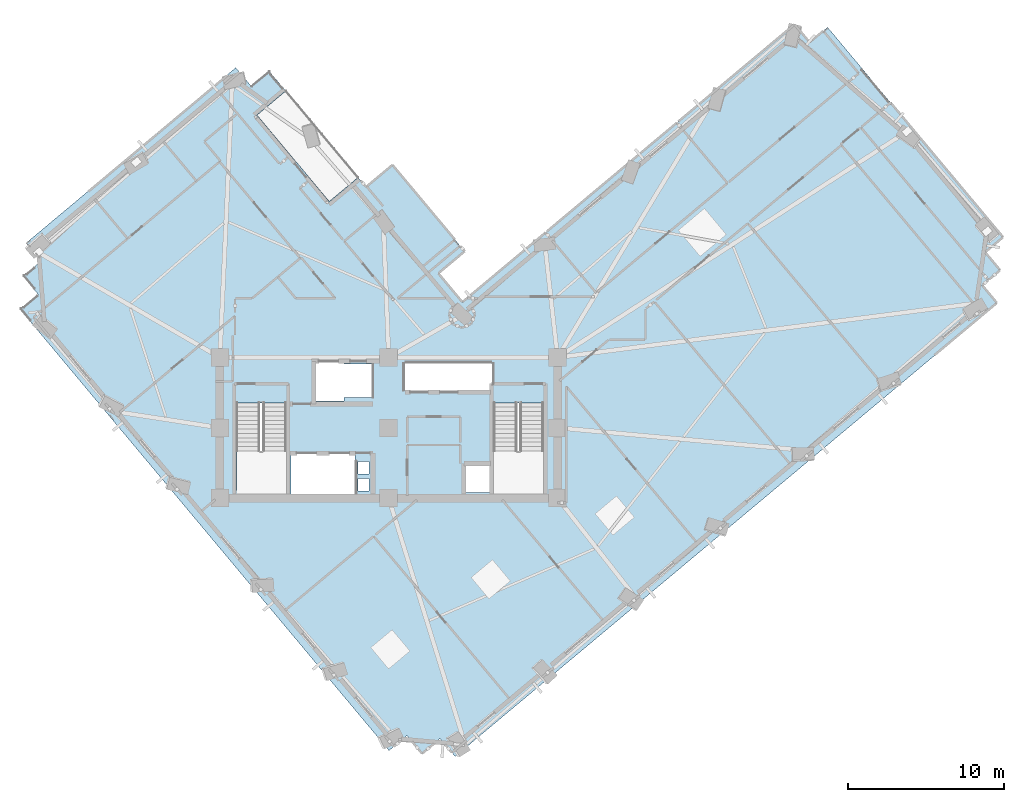
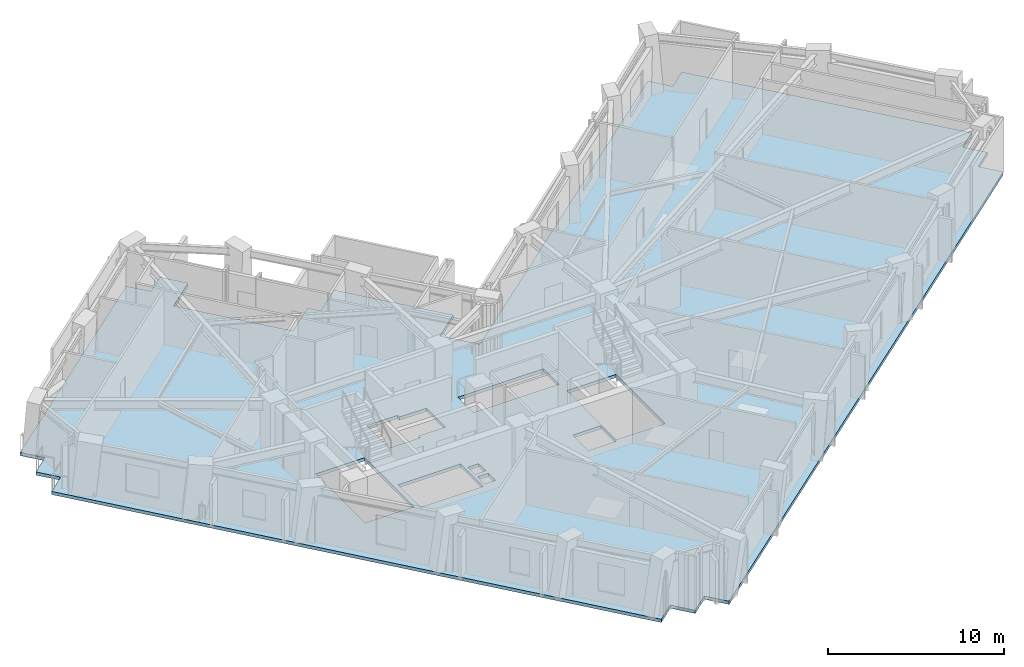
# One storey, part 3 of 14: 1 slab.
"""IFC4 building model written with IfcOpenShell, lengths in metres."""

from ifc_helpers import new_model, si_unit, direction, frame, origin, place, context, subcontext, project, spatial, polyline, outline, extrude, material, layer, layer_set, type_object, element, save


model = new_model("IFC4")

# Units and contexts
model_context = context("Model", 3, precision=1e-05, world=origin(), true_north=direction((0.0, 1.0)))
body_context = subcontext(model_context, "Body", "Model", "MODEL_VIEW")
ifc_project = project(units=[si_unit("LENGTHUNIT", "METRE"), si_unit("AREAUNIT", "SQUARE_METRE"), si_unit("VOLUMEUNIT", "CUBIC_METRE"), si_unit("PLANEANGLEUNIT", "RADIAN"), si_unit("MASSUNIT", "GRAM", prefix="KILO")], contexts=[model_context])

# Site, building, storey
site_placement = place(None, origin())
site = spatial("IfcSite", under=ifc_project, at=site_placement, CompositionType="ELEMENT")
building_placement = place(site_placement, origin())
building = spatial("IfcBuilding", under=site, at=building_placement, Name="Gaonmaruhae Medical Tower", CompositionType="ELEMENT")
storey_placement = place(building_placement, frame((0.0, 0.0, 193.800048828125)))
storey = spatial("IfcBuildingStorey", under=building, at=storey_placement, Name="L46", CompositionType="ELEMENT", Elevation=193.800048828125)

# Slab
ifc_material = material(Name="Concrete C40/50", Category="concrete")
ifc_layer = layer(ifc_material, 0.219970703125)
ifc_layer_set = layer_set([ifc_layer], Name="Concrete C40/50")
slab_type = type_object("IfcSlabType", Name="FS-220 Clinical Ward Composite Floor Slab", PredefinedType="FLOOR", material=ifc_layer_set)
slab_placement = place(storey_placement, frame((0.0, 0.0, -0.219970703125)))
element("IfcSlab", 1, at=slab_placement, inside=storey, type_object=slab_type, Name="L46 Structural Slab 1", PredefinedType="FLOOR", context=body_context, shape_type="SweptSolid", body=[
    extrude(outline(polyline([(50.760498046875, 38.105712890625), (51.722900390625, 36.955078125), (52.87353515625, 37.917236328125), (64.098876953125, 24.49169921875), (62.9482421875, 23.529541015625), (63.910400390625, 22.37890625), (62.759521484375, 21.416748046875), (63.7216796875, 20.265869140625), (29.0458984375, -8.7275390625), (28.083740234375, -7.576904296875), (26.93310546875, -8.5390625), (25.970703125, -7.38818359375), (24.820068359375, -8.3505859375), (1.214599609375, 19.881103515625), (2.365478515625, 20.843505859375), (1.4033203125, 21.994140625), (2.55419921875, 22.956298828125), (1.591796875, 24.107177734375), (15.017333984375, 35.33251953125), (15.9794921875, 34.181640625), (17.130126953125, 35.143798828125), (18.220703125, 33.839599609375), (16.37939453125, 32.30029296875), (20.997802734375, 26.776611328125), (22.839111328125, 28.316162109375), (23.352294921875, 27.702392578125), (25.0400390625, 29.113525390625), (29.658447265625, 23.590087890625), (27.970703125, 22.1787109375), (29.51025390625, 20.337646484375), (50.760498046875, 38.105712890625)]), holes=[polyline([(23.550048828125, 8.25), (22.85009765625, 8.25), (22.85009765625, 9.050048828125), (23.550048828125, 9.050048828125), (23.550048828125, 8.25)]), polyline([(31.425048828125, 9.925048828125), (31.425048828125, 8.175048828125), (29.574951171875, 8.175048828125), (29.574951171875, 9.925048828125), (31.425048828125, 9.925048828125)]), polyline([(22.64990234375, 10.625), (22.64990234375, 8.074951171875), (18.550048828125, 8.074951171875), (18.550048828125, 10.625), (22.64990234375, 10.625)]), polyline([(23.550048828125, 9.35009765625), (22.85009765625, 9.35009765625), (22.85009765625, 10.14990234375), (23.550048828125, 10.14990234375), (23.550048828125, 9.35009765625)]), polyline([(15.050048828125, 13.889892578125), (18.25, 13.889892578125), (18.25, 8.300048828125), (15.050048828125, 8.300048828125), (15.050048828125, 13.889892578125)]), polyline([(31.5, 13.889892578125), (34.699951171875, 13.889892578125), (34.699951171875, 8.300048828125), (31.5, 8.300048828125), (31.5, 13.889892578125)]), polyline([(21.949951171875, 14.22509765625), (21.949951171875, 14.02490234375), (19.949951171875, 14.02490234375), (19.949951171875, 16.574951171875), (21.949951171875, 16.574951171875), (21.949951171875, 16.375), (23.72509765625, 16.375), (23.72509765625, 14.22509765625), (21.949951171875, 14.22509765625)]), polyline([(31.425048828125, 16.425048828125), (31.425048828125, 14.675048828125), (25.824951171875, 14.675048828125), (25.824951171875, 16.425048828125), (31.425048828125, 16.425048828125)])]), origin(), (0.0, 0.0, 1.0), 0.219970703125),
])

save(model, "model.ifc")
